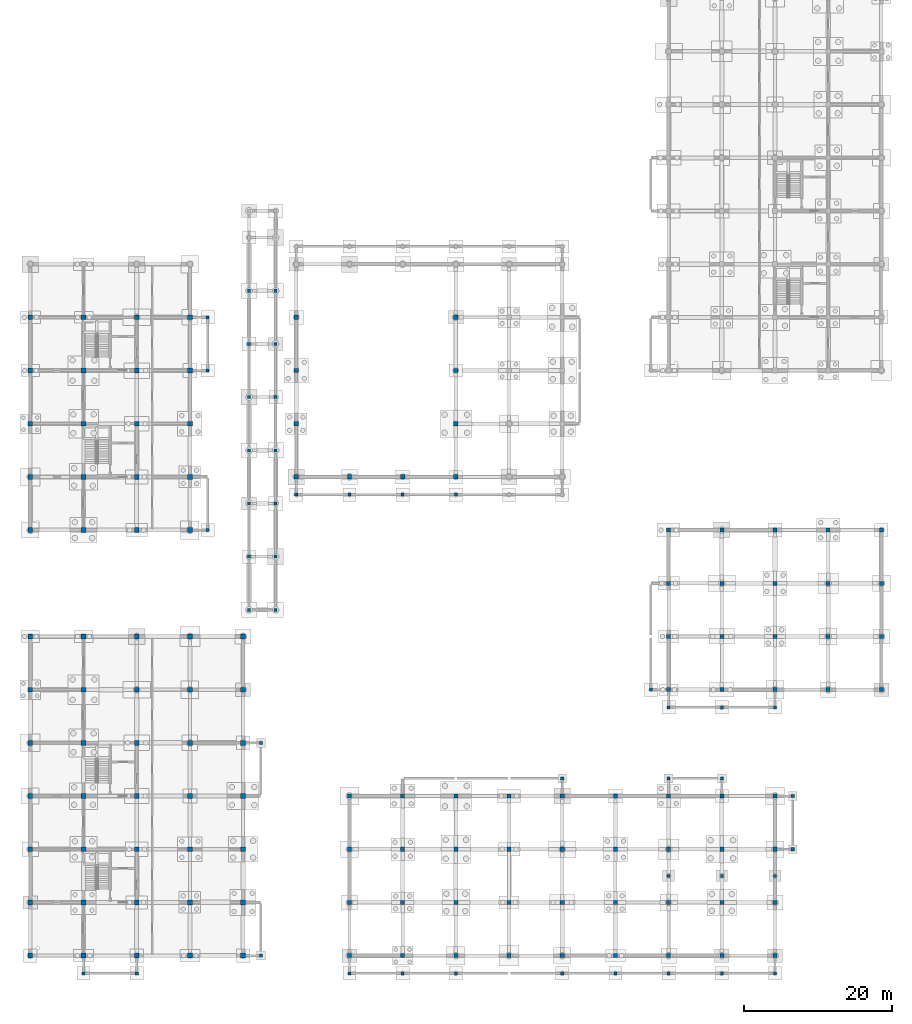
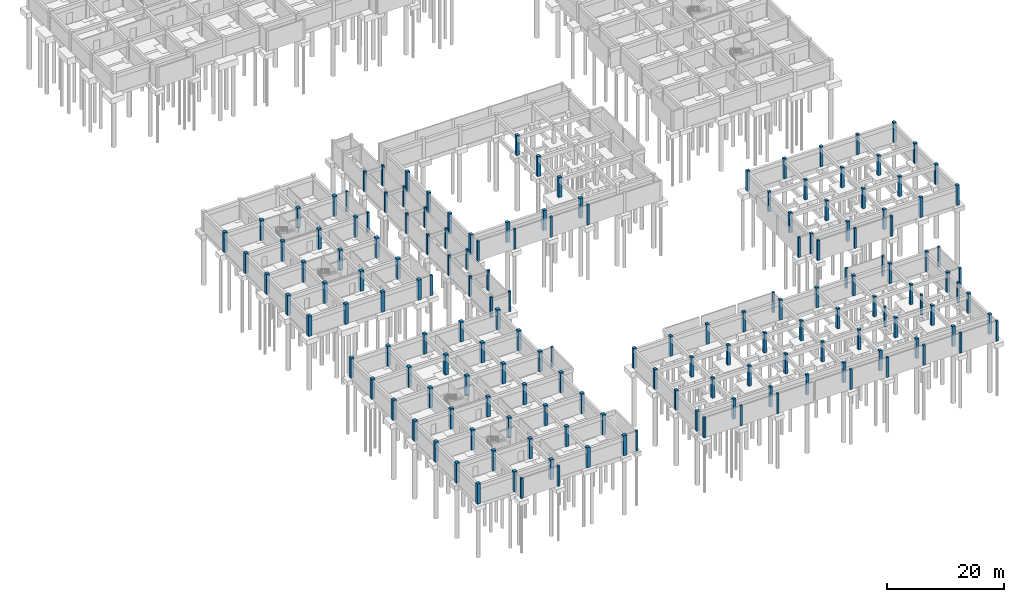
# One storey, part 17 of 38: 166 columns.
"""IFC4 building model written with IfcOpenShell, lengths in metres."""

from ifc_helpers import new_model, si_unit, direction, frame, origin, origin_2d, place, context, subcontext, project, spatial, rectangle, extrude, material, material_profile, profile_set, type_object, element, save


model = new_model("IFC4")

# Units and contexts
model_context = context("Model", 3, precision=1e-05, world=origin(), true_north=direction((0.0, 1.0)))
body_context = subcontext(model_context, "Body", "Model", "MODEL_VIEW")
ifc_project = project(units=[si_unit("LENGTHUNIT", "METRE"), si_unit("AREAUNIT", "SQUARE_METRE"), si_unit("VOLUMEUNIT", "CUBIC_METRE"), si_unit("PLANEANGLEUNIT", "RADIAN"), si_unit("MASSUNIT", "GRAM", prefix="KILO"), si_unit("THERMODYNAMICTEMPERATUREUNIT", "KELVIN"), si_unit("POWERUNIT", "WATT")], contexts=[model_context])

# Site, building, storey
site_placement = place(None, origin())
site = spatial("IfcSite", under=ifc_project, at=site_placement, CompositionType="ELEMENT")
building_placement = place(site_placement, origin())
building = spatial("IfcBuilding", under=site, at=building_placement, Name="Tavuni Mirador Residences", CompositionType="ELEMENT")
storey_placement = place(building_placement, frame((0.0, 0.0, -4.199951171875)))
storey = spatial("IfcBuildingStorey", under=building, at=storey_placement, Name="B1", CompositionType="ELEMENT", Elevation=-4.199951171875)

# Columns
ifc_material_1 = material(Name="Precast concrete C40/50", Category="concrete")
ifc_material_profile_1 = material_profile(ifc_material_1, rectangle(XDim=0.419921875, YDim=0.419921875, at=origin_2d()), Name="CORAL 420x420", Category="concrete")
ifc_profile_set_1 = profile_set([ifc_material_profile_1], Name="Precast concrete C40/50")
column_type_1 = type_object("IfcColumnType", Name="CT-PIL420", PredefinedType="PILASTER", material=ifc_profile_set_1)
for number, where, z_axis, x_axis, name in (
    (1, (33.199951171875, 54.0, 0.0), (0.0, 0.0, 1.0), (1.0, 0.0, 0.0), "COL-PAV-COL-B1-00-00"),
    (2, (33.199951171875, 61.199951171875, 0.0), (0.0, 0.0, 1.0), (1.0, 0.0, 0.0), "COL-PAV-COL-B1-00-01"),
    (3, (33.199951171875, 68.39990234375, 0.0), (0.0, 0.0, 1.0), (1.0, 0.0, 0.0), "COL-PAV-COL-B1-00-02"),
    (4, (33.199951171875, 75.60009765625, 0.0), (0.0, 0.0, 1.0), (1.0, 0.0, 0.0), "COL-PAV-COL-B1-00-03"),
    (5, (33.199951171875, 82.800048828125, 0.0), (0.0, 0.0, 1.0), (1.0, 0.0, 0.0), "COL-PAV-COL-B1-00-04"),
    (6, (33.199951171875, 90.0, 0.0), (0.0, 0.0, 1.0), (1.0, 0.0, 0.0), "COL-PAV-COL-B1-00-05"),
    (7, (33.199951171875, 97.199951171875, 0.0), (0.0, 0.0, 1.0), (1.0, 0.0, 0.0), "COL-PAV-COL-B1-00-06"),
    (8, (36.800048828125, 54.0, 0.0), (0.0, 0.0, 1.0), (1.0, 0.0, 0.0), "COL-PAV-COL-B1-01-00"),
    (9, (36.800048828125, 61.199951171875, 0.0), (0.0, 0.0, 1.0), (1.0, 0.0, 0.0), "COL-PAV-COL-B1-01-01"),
    (10, (36.800048828125, 68.39990234375, 0.0), (0.0, 0.0, 1.0), (1.0, 0.0, 0.0), "COL-PAV-COL-B1-01-02"),
    (11, (36.800048828125, 75.60009765625, 0.0), (0.0, 0.0, 1.0), (1.0, 0.0, 0.0), "COL-PAV-COL-B1-01-03"),
    (12, (36.800048828125, 82.800048828125, 0.0), (0.0, 0.0, 1.0), (1.0, 0.0, 0.0), "COL-PAV-COL-B1-01-04"),
    (13, (36.800048828125, 90.0, 0.0), (0.0, 0.0, 1.0), (1.0, 0.0, 0.0), "COL-PAV-COL-B1-01-05"),
    (14, (36.800048828125, 97.199951171875, 0.0), (0.0, 0.0, 1.0), (1.0, 0.0, 0.0), "COL-PAV-COL-B1-01-06"),
    (15, (10.800048828125, 4.800048828125, 0.0), (0.0, 0.0, 1.0), (1.0, 0.0, 0.0), "COL-APR-BLKA-S-0"),
    (16, (18.0, 4.800048828125, 0.0), (0.0, 0.0, 1.0), (1.0, 0.0, 0.0), "COL-APR-BLKA-S-1"),
    (17, (34.800048828125, 7.199951171875, 0.0), (0.0, 0.0, 1.0), (1.0, 0.0, 0.0), "COL-APR-BLKA-E1-1"),
    (18, (34.800048828125, 36.0, 0.0), (0.0, 0.0, 1.0), (1.0, 0.0, 0.0), "COL-APR-BLKA-E2-2"),
    (19, (27.60009765625, 64.800048828125, 0.0), (0.0, 0.0, 1.0), (1.0, 0.0, 0.0), "COL-APR-BLKB-E1-1"),
    (20, (27.60009765625, 86.39990234375, 0.0), (0.0, 0.0, 1.0), (1.0, 0.0, 0.0), "COL-APR-BLKB-E2-1"),
    (21, (27.60009765625, 93.60009765625, 0.0), (0.0, 0.0, 1.0), (1.0, 0.0, 0.0), "COL-APR-BLKB-E2-2"),
    (22, (90.0, 40.800048828125, 0.0), (0.0, 0.0, 1.0), (1.0, 0.0, 0.0), "COL-APR-NURS-S-0"),
    (23, (104.39990234375, 40.800048828125, 0.0), (0.0, 0.0, 1.0), (1.0, 0.0, 0.0), "COL-APR-NURS-S-1"),
    (24, (97.199951171875, 40.800048828125, 0.0), (0.0, 0.0, 1.0), (1.0, 0.0, 0.0), "COL-APR-NURS-S-S1"),
    (25, (87.60009765625, 43.199951171875, 0.0), (0.0, 0.0, 1.0), (1.0, 0.0, 0.0), "COL-APR-NURS-W-0"),
    (26, (46.800048828125, 4.800048828125, 0.0), (0.0, 0.0, 1.0), (1.0, 0.0, 0.0), "COL-APR-SHOP-S-0"),
    (27, (104.39990234375, 4.800048828125, 0.0), (0.0, 0.0, 1.0), (1.0, 0.0, 0.0), "COL-APR-SHOP-S-1"),
    (28, (54.0, 4.800048828125, 0.0), (0.0, 0.0, 1.0), (1.0, 0.0, 0.0), "COL-APR-SHOP-S-S1"),
    (29, (61.199951171875, 4.800048828125, 0.0), (0.0, 0.0, 1.0), (1.0, 0.0, 0.0), "COL-APR-SHOP-S-S2"),
    (30, (75.60009765625, 4.800048828125, 0.0), (0.0, 0.0, 1.0), (1.0, 0.0, 0.0), "COL-APR-SHOP-S-S4"),
    (31, (82.800048828125, 4.800048828125, 0.0), (0.0, 0.0, 1.0), (1.0, 0.0, 0.0), "COL-APR-SHOP-S-S5"),
    (32, (90.0, 4.800048828125, 0.0), (0.0, 0.0, 1.0), (1.0, 0.0, 0.0), "COL-APR-SHOP-S-S6"),
    (33, (97.199951171875, 4.800048828125, 0.0), (0.0, 0.0, 1.0), (1.0, 0.0, 0.0), "COL-APR-SHOP-S-S7"),
    (34, (75.60009765625, 31.199951171875, 0.0), (0.0, 0.0, 1.0), (1.0, 0.0, 0.0), "COL-APR-SHOP-N-2"),
    (35, (97.199951171875, 31.199951171875, 0.0), (0.0, 0.0, 1.0), (1.0, 0.0, 0.0), "COL-APR-SHOP-CPN-2"),
    (36, (90.0, 31.199951171875, 0.0), (0.0, 0.0, 1.0), (1.0, 0.0, 0.0), "COL-APR-SHOP-CPN-3"),
    (37, (106.800048828125, 21.60009765625, 0.0), (0.0, 0.0, 1.0), (1.0, 0.0, 0.0), "COL-APR-SHOP-E-1"),
    (38, (106.800048828125, 28.800048828125, 0.0), (0.0, 0.0, 1.0), (1.0, 0.0, 0.0), "COL-APR-SHOP-E-2"),
    (39, (90.0, 18.0, 0.0), (0.0, 0.0, 1.0), (1.0, 0.0, 0.0), "COL-SHOP-CP-RDG-B1-1"),
    (40, (97.199951171875, 18.0, 0.0), (0.0, 0.0, 1.0), (1.0, 0.0, 0.0), "COL-SHOP-CP-RDG-B1-2"),
    (41, (104.39990234375, 18.0, 0.0), (0.0, 0.0, 1.0), (1.0, 0.0, 0.0), "COL-SHOP-CP-RDG-B1-3"),
    (42, (39.60009765625, 69.60009765625, 0.0), (0.0, 0.0, 1.0), (1.0, 0.0, 0.0), "COL-HALL-EAVE-B1-S-00"),
    (43, (46.800048828125, 69.60009765625, 0.0), (0.0, 0.0, 1.0), (1.0, 0.0, 0.0), "COL-HALL-EAVE-B1-S-01"),
    (44, (54.0, 69.60009765625, 0.0), (0.0, 0.0, 1.0), (1.0, 0.0, 0.0), "COL-HALL-EAVE-B1-S-02"),
    (45, (61.199951171875, 69.60009765625, 0.0), (0.0, 0.0, 1.0), (1.0, 0.0, 0.0), "COL-HALL-EAVE-B1-S-03"),
):
    element("IfcColumn", number, at=place(storey_placement, frame(where, z_axis=z_axis, x_axis=x_axis)), inside=storey, type_object=column_type_1, Name=name, PredefinedType="PILASTER", context=body_context, shape_type="SweptSolid", body=[
        extrude(rectangle(XDim=0.419921875, YDim=0.419921875, at=origin_2d()), origin(), (0.0, 0.0, 1.0), 4.199951171875),
    ])
ifc_material_profile_2 = material_profile(ifc_material_1, rectangle(XDim=0.550048828125, YDim=0.550048828125, at=origin_2d()), Name="RC 550x550", Category="concrete")
ifc_profile_set_2 = profile_set([ifc_material_profile_2], Name="Precast concrete C40/50")
column_type_2 = type_object("IfcColumnType", Name="CT-RC550", PredefinedType="COLUMN", material=ifc_profile_set_2)
for number, where, z_axis, x_axis, name in (
    (46, (90.0, 43.199951171875, 0.0), (0.0, 0.0, 1.0), (1.0, 0.0, 0.0), "COL-PAV-NURS-B1-00-00"),
    (47, (90.0, 50.39990234375, 0.0), (0.0, 0.0, 1.0), (1.0, 0.0, 0.0), "COL-PAV-NURS-B1-00-01"),
    (48, (90.0, 57.60009765625, 0.0), (0.0, 0.0, 1.0), (1.0, 0.0, 0.0), "COL-PAV-NURS-B1-00-02"),
    (49, (90.0, 64.800048828125, 0.0), (0.0, 0.0, 1.0), (1.0, 0.0, 0.0), "COL-PAV-NURS-B1-00-03"),
    (50, (97.199951171875, 43.199951171875, 0.0), (0.0, 0.0, 1.0), (1.0, 0.0, 0.0), "COL-PAV-NURS-B1-01-00"),
    (51, (97.199951171875, 50.39990234375, 0.0), (0.0, 0.0, 1.0), (1.0, 0.0, 0.0), "COL-PAV-NURS-B1-01-01"),
    (52, (97.199951171875, 57.60009765625, 0.0), (0.0, 0.0, 1.0), (1.0, 0.0, 0.0), "COL-PAV-NURS-B1-01-02"),
    (53, (97.199951171875, 64.800048828125, 0.0), (0.0, 0.0, 1.0), (1.0, 0.0, 0.0), "COL-PAV-NURS-B1-01-03"),
    (54, (104.39990234375, 43.199951171875, 0.0), (0.0, 0.0, 1.0), (1.0, 0.0, 0.0), "COL-PAV-NURS-B1-02-00"),
    (55, (104.39990234375, 50.39990234375, 0.0), (0.0, 0.0, 1.0), (1.0, 0.0, 0.0), "COL-PAV-NURS-B1-02-01"),
    (56, (104.39990234375, 57.60009765625, 0.0), (0.0, 0.0, 1.0), (1.0, 0.0, 0.0), "COL-PAV-NURS-B1-02-02"),
    (57, (104.39990234375, 64.800048828125, 0.0), (0.0, 0.0, 1.0), (1.0, 0.0, 0.0), "COL-PAV-NURS-B1-02-03"),
    (58, (111.60009765625, 43.199951171875, 0.0), (0.0, 0.0, 1.0), (1.0, 0.0, 0.0), "COL-PAV-NURS-B1-03-00"),
    (59, (111.60009765625, 50.39990234375, 0.0), (0.0, 0.0, 1.0), (1.0, 0.0, 0.0), "COL-PAV-NURS-B1-03-01"),
    (60, (111.60009765625, 57.60009765625, 0.0), (0.0, 0.0, 1.0), (1.0, 0.0, 0.0), "COL-PAV-NURS-B1-03-02"),
    (61, (111.60009765625, 64.800048828125, 0.0), (0.0, 0.0, 1.0), (1.0, 0.0, 0.0), "COL-PAV-NURS-B1-03-03"),
    (62, (118.800048828125, 43.199951171875, 0.0), (0.0, 0.0, 1.0), (1.0, 0.0, 0.0), "COL-PAV-NURS-B1-04-00"),
    (63, (118.800048828125, 50.39990234375, 0.0), (0.0, 0.0, 1.0), (1.0, 0.0, 0.0), "COL-PAV-NURS-B1-04-01"),
    (64, (118.800048828125, 57.60009765625, 0.0), (0.0, 0.0, 1.0), (1.0, 0.0, 0.0), "COL-PAV-NURS-B1-04-02"),
    (65, (118.800048828125, 64.800048828125, 0.0), (0.0, 0.0, 1.0), (1.0, 0.0, 0.0), "COL-PAV-NURS-B1-04-03"),
    (66, (46.800048828125, 7.199951171875, 0.0), (0.0, 0.0, 1.0), (1.0, 0.0, 0.0), "COL-PAV-SHOP-B1-00-00"),
    (67, (46.800048828125, 14.39990234375, 0.0), (0.0, 0.0, 1.0), (1.0, 0.0, 0.0), "COL-PAV-SHOP-B1-00-01"),
    (68, (46.800048828125, 21.60009765625, 0.0), (0.0, 0.0, 1.0), (1.0, 0.0, 0.0), "COL-PAV-SHOP-B1-00-02"),
    (69, (46.800048828125, 28.800048828125, 0.0), (0.0, 0.0, 1.0), (1.0, 0.0, 0.0), "COL-PAV-SHOP-B1-00-03"),
    (70, (54.0, 7.199951171875, 0.0), (0.0, 0.0, 1.0), (1.0, 0.0, 0.0), "COL-PAV-SHOP-B1-01-00"),
    (71, (54.0, 14.39990234375, 0.0), (0.0, 0.0, 1.0), (1.0, 0.0, 0.0), "COL-PAV-SHOP-B1-01-01"),
    (72, (54.0, 21.60009765625, 0.0), (0.0, 0.0, 1.0), (1.0, 0.0, 0.0), "COL-PAV-SHOP-B1-01-02"),
    (73, (54.0, 28.800048828125, 0.0), (0.0, 0.0, 1.0), (1.0, 0.0, 0.0), "COL-PAV-SHOP-B1-01-03"),
    (74, (61.199951171875, 7.199951171875, 0.0), (0.0, 0.0, 1.0), (1.0, 0.0, 0.0), "COL-PAV-SHOP-B1-02-00"),
    (75, (61.199951171875, 14.39990234375, 0.0), (0.0, 0.0, 1.0), (1.0, 0.0, 0.0), "COL-PAV-SHOP-B1-02-01"),
    (76, (61.199951171875, 21.60009765625, 0.0), (0.0, 0.0, 1.0), (1.0, 0.0, 0.0), "COL-PAV-SHOP-B1-02-02"),
    (77, (61.199951171875, 28.800048828125, 0.0), (0.0, 0.0, 1.0), (1.0, 0.0, 0.0), "COL-PAV-SHOP-B1-02-03"),
    (78, (68.39990234375, 7.199951171875, 0.0), (0.0, 0.0, 1.0), (1.0, 0.0, 0.0), "COL-PAV-SHOP-B1-03-00"),
    (79, (68.39990234375, 14.39990234375, 0.0), (0.0, 0.0, 1.0), (1.0, 0.0, 0.0), "COL-PAV-SHOP-B1-03-01"),
    (80, (68.39990234375, 21.60009765625, 0.0), (0.0, 0.0, 1.0), (1.0, 0.0, 0.0), "COL-PAV-SHOP-B1-03-02"),
    (81, (68.39990234375, 28.800048828125, 0.0), (0.0, 0.0, 1.0), (1.0, 0.0, 0.0), "COL-PAV-SHOP-B1-03-03"),
    (82, (75.60009765625, 7.199951171875, 0.0), (0.0, 0.0, 1.0), (1.0, 0.0, 0.0), "COL-PAV-SHOP-B1-04-00"),
    (83, (75.60009765625, 14.39990234375, 0.0), (0.0, 0.0, 1.0), (1.0, 0.0, 0.0), "COL-PAV-SHOP-B1-04-01"),
    (84, (75.60009765625, 21.60009765625, 0.0), (0.0, 0.0, 1.0), (1.0, 0.0, 0.0), "COL-PAV-SHOP-B1-04-02"),
    (85, (75.60009765625, 28.800048828125, 0.0), (0.0, 0.0, 1.0), (1.0, 0.0, 0.0), "COL-PAV-SHOP-B1-04-03"),
    (86, (82.800048828125, 7.199951171875, 0.0), (0.0, 0.0, 1.0), (1.0, 0.0, 0.0), "COL-PAV-SHOP-B1-05-00"),
    (87, (82.800048828125, 14.39990234375, 0.0), (0.0, 0.0, 1.0), (1.0, 0.0, 0.0), "COL-PAV-SHOP-B1-05-01"),
    (88, (82.800048828125, 21.60009765625, 0.0), (0.0, 0.0, 1.0), (1.0, 0.0, 0.0), "COL-PAV-SHOP-B1-05-02"),
    (89, (82.800048828125, 28.800048828125, 0.0), (0.0, 0.0, 1.0), (1.0, 0.0, 0.0), "COL-PAV-SHOP-B1-05-03"),
    (90, (90.0, 7.199951171875, 0.0), (0.0, 0.0, 1.0), (1.0, 0.0, 0.0), "COL-PAV-SHOP-B1-06-00"),
    (91, (90.0, 14.39990234375, 0.0), (0.0, 0.0, 1.0), (1.0, 0.0, 0.0), "COL-PAV-SHOP-B1-06-01"),
    (92, (90.0, 21.60009765625, 0.0), (0.0, 0.0, 1.0), (1.0, 0.0, 0.0), "COL-PAV-SHOP-B1-06-02"),
    (93, (90.0, 28.800048828125, 0.0), (0.0, 0.0, 1.0), (1.0, 0.0, 0.0), "COL-PAV-SHOP-B1-06-03"),
    (94, (97.199951171875, 7.199951171875, 0.0), (0.0, 0.0, 1.0), (1.0, 0.0, 0.0), "COL-PAV-SHOP-B1-07-00"),
    (95, (97.199951171875, 14.39990234375, 0.0), (0.0, 0.0, 1.0), (1.0, 0.0, 0.0), "COL-PAV-SHOP-B1-07-01"),
    (96, (97.199951171875, 21.60009765625, 0.0), (0.0, 0.0, 1.0), (1.0, 0.0, 0.0), "COL-PAV-SHOP-B1-07-02"),
    (97, (97.199951171875, 28.800048828125, 0.0), (0.0, 0.0, 1.0), (1.0, 0.0, 0.0), "COL-PAV-SHOP-B1-07-03"),
    (98, (104.39990234375, 7.199951171875, 0.0), (0.0, 0.0, 1.0), (1.0, 0.0, 0.0), "COL-PAV-SHOP-B1-08-00"),
    (99, (104.39990234375, 14.39990234375, 0.0), (0.0, 0.0, 1.0), (1.0, 0.0, 0.0), "COL-PAV-SHOP-B1-08-01"),
    (100, (104.39990234375, 21.60009765625, 0.0), (0.0, 0.0, 1.0), (1.0, 0.0, 0.0), "COL-PAV-SHOP-B1-08-02"),
    (101, (104.39990234375, 28.800048828125, 0.0), (0.0, 0.0, 1.0), (1.0, 0.0, 0.0), "COL-PAV-SHOP-B1-08-03"),
):
    element("IfcColumn", number, at=place(storey_placement, frame(where, z_axis=z_axis, x_axis=x_axis)), inside=storey, type_object=column_type_2, Name=name, PredefinedType="COLUMN", context=body_context, shape_type="SweptSolid", body=[
        extrude(rectangle(XDim=0.550048828125, YDim=0.550048828125, at=origin_2d()), origin(), (0.0, 0.0, 1.0), 4.199951171875),
    ])
ifc_material_profile_3 = material_profile(ifc_material_1, rectangle(XDim=0.60009765625, YDim=0.60009765625, at=origin_2d()), Name="RC 600x600", Category="concrete")
ifc_profile_set_3 = profile_set([ifc_material_profile_3], Name="Precast concrete C40/50")
column_type_3 = type_object("IfcColumnType", Name="CT-RC600", PredefinedType="COLUMN", material=ifc_profile_set_3)
for number, where, z_axis, x_axis, name in (
    (102, (39.60009765625, 72.0, 0.0), (0.0, 0.0, 1.0), (1.0, 0.0, 0.0), "COL-PAV-HALL-B1-00-00"),
    (103, (39.60009765625, 79.199951171875, 0.0), (0.0, 0.0, 1.0), (1.0, 0.0, 0.0), "COL-PAV-HALL-B1-00-01"),
    (104, (39.60009765625, 86.39990234375, 0.0), (0.0, 0.0, 1.0), (1.0, 0.0, 0.0), "COL-PAV-HALL-B1-00-02"),
    (105, (39.60009765625, 93.60009765625, 0.0), (0.0, 0.0, 1.0), (1.0, 0.0, 0.0), "COL-PAV-HALL-B1-00-03"),
    (106, (46.800048828125, 72.0, 0.0), (0.0, 0.0, 1.0), (1.0, 0.0, 0.0), "COL-PAV-HALL-B1-01-00"),
    (107, (54.0, 72.0, 0.0), (0.0, 0.0, 1.0), (1.0, 0.0, 0.0), "COL-PAV-HALL-B1-02-00"),
    (108, (61.199951171875, 72.0, 0.0), (0.0, 0.0, 1.0), (1.0, 0.0, 0.0), "COL-PAV-HALL-B1-03-00"),
    (109, (61.199951171875, 79.199951171875, 0.0), (0.0, 0.0, 1.0), (1.0, 0.0, 0.0), "COL-PAV-HALL-B1-03-01"),
    (110, (61.199951171875, 86.39990234375, 0.0), (0.0, 0.0, 1.0), (1.0, 0.0, 0.0), "COL-PAV-HALL-B1-03-02"),
    (111, (61.199951171875, 93.60009765625, 0.0), (0.0, 0.0, 1.0), (1.0, 0.0, 0.0), "COL-PAV-HALL-B1-03-03"),
):
    element("IfcColumn", number, at=place(storey_placement, frame(where, z_axis=z_axis, x_axis=x_axis)), inside=storey, type_object=column_type_3, Name=name, PredefinedType="COLUMN", context=body_context, shape_type="SweptSolid", body=[
        extrude(rectangle(XDim=0.60009765625, YDim=0.60009765625, at=origin_2d()), origin(), (0.0, 0.0, 1.0), 4.199951171875),
    ])
ifc_material_2 = material(Name="In-situ concrete C35/45", Category="concrete")
ifc_material_profile_4 = material_profile(ifc_material_2, rectangle(XDim=0.64990234375, YDim=0.64990234375, at=origin_2d()), Name="RC 650x650", Category="concrete")
ifc_profile_set_4 = profile_set([ifc_material_profile_4], Name="In-situ concrete C35/45")
column_type_4 = type_object("IfcColumnType", Name="CT-RC650", PredefinedType="COLUMN", material=ifc_profile_set_4)
for number, where, z_axis, x_axis, name in (
    (112, (3.60009765625, 7.199951171875, 0.0), (0.0, 0.0, 1.0), (1.0, 0.0, 0.0), "COL-BLK-A-B1-00-00"),
    (113, (3.60009765625, 14.39990234375, 0.0), (0.0, 0.0, 1.0), (1.0, 0.0, 0.0), "COL-BLK-A-B1-00-01"),
    (114, (3.60009765625, 21.60009765625, 0.0), (0.0, 0.0, 1.0), (1.0, 0.0, 0.0), "COL-BLK-A-B1-00-02"),
    (115, (3.60009765625, 28.800048828125, 0.0), (0.0, 0.0, 1.0), (1.0, 0.0, 0.0), "COL-BLK-A-B1-00-03"),
    (116, (3.60009765625, 36.0, 0.0), (0.0, 0.0, 1.0), (1.0, 0.0, 0.0), "COL-BLK-A-B1-00-04"),
    (117, (3.60009765625, 43.199951171875, 0.0), (0.0, 0.0, 1.0), (1.0, 0.0, 0.0), "COL-BLK-A-B1-00-05"),
    (118, (3.60009765625, 50.39990234375, 0.0), (0.0, 0.0, 1.0), (1.0, 0.0, 0.0), "COL-BLK-A-B1-00-06"),
    (119, (10.800048828125, 7.199951171875, 0.0), (0.0, 0.0, 1.0), (1.0, 0.0, 0.0), "COL-BLK-A-B1-01-00"),
    (120, (10.800048828125, 14.39990234375, 0.0), (0.0, 0.0, 1.0), (1.0, 0.0, 0.0), "COL-BLK-A-B1-01-01"),
    (121, (10.800048828125, 21.60009765625, 0.0), (0.0, 0.0, 1.0), (1.0, 0.0, 0.0), "COL-BLK-A-B1-01-02"),
    (122, (10.800048828125, 28.800048828125, 0.0), (0.0, 0.0, 1.0), (1.0, 0.0, 0.0), "COL-BLK-A-B1-01-03"),
    (123, (10.800048828125, 36.0, 0.0), (0.0, 0.0, 1.0), (1.0, 0.0, 0.0), "COL-BLK-A-B1-01-04"),
    (124, (10.800048828125, 43.199951171875, 0.0), (0.0, 0.0, 1.0), (1.0, 0.0, 0.0), "COL-BLK-A-B1-01-05"),
    (125, (10.800048828125, 50.39990234375, 0.0), (0.0, 0.0, 1.0), (1.0, 0.0, 0.0), "COL-BLK-A-B1-01-06"),
    (126, (18.0, 7.199951171875, 0.0), (0.0, 0.0, 1.0), (1.0, 0.0, 0.0), "COL-BLK-A-B1-02-00"),
    (127, (18.0, 14.39990234375, 0.0), (0.0, 0.0, 1.0), (1.0, 0.0, 0.0), "COL-BLK-A-B1-02-01"),
    (128, (18.0, 21.60009765625, 0.0), (0.0, 0.0, 1.0), (1.0, 0.0, 0.0), "COL-BLK-A-B1-02-02"),
    (129, (18.0, 28.800048828125, 0.0), (0.0, 0.0, 1.0), (1.0, 0.0, 0.0), "COL-BLK-A-B1-02-03"),
    (130, (18.0, 36.0, 0.0), (0.0, 0.0, 1.0), (1.0, 0.0, 0.0), "COL-BLK-A-B1-02-04"),
    (131, (18.0, 43.199951171875, 0.0), (0.0, 0.0, 1.0), (1.0, 0.0, 0.0), "COL-BLK-A-B1-02-05"),
    (132, (18.0, 50.39990234375, 0.0), (0.0, 0.0, 1.0), (1.0, 0.0, 0.0), "COL-BLK-A-B1-02-06"),
    (133, (25.199951171875, 7.199951171875, 0.0), (0.0, 0.0, 1.0), (1.0, 0.0, 0.0), "COL-BLK-A-B1-03-00"),
    (134, (25.199951171875, 14.39990234375, 0.0), (0.0, 0.0, 1.0), (1.0, 0.0, 0.0), "COL-BLK-A-B1-03-01"),
    (135, (25.199951171875, 21.60009765625, 0.0), (0.0, 0.0, 1.0), (1.0, 0.0, 0.0), "COL-BLK-A-B1-03-02"),
    (136, (25.199951171875, 28.800048828125, 0.0), (0.0, 0.0, 1.0), (1.0, 0.0, 0.0), "COL-BLK-A-B1-03-03"),
    (137, (25.199951171875, 36.0, 0.0), (0.0, 0.0, 1.0), (1.0, 0.0, 0.0), "COL-BLK-A-B1-03-04"),
    (138, (25.199951171875, 43.199951171875, 0.0), (0.0, 0.0, 1.0), (1.0, 0.0, 0.0), "COL-BLK-A-B1-03-05"),
    (139, (25.199951171875, 50.39990234375, 0.0), (0.0, 0.0, 1.0), (1.0, 0.0, 0.0), "COL-BLK-A-B1-03-06"),
    (140, (32.39990234375, 7.199951171875, 0.0), (0.0, 0.0, 1.0), (1.0, 0.0, 0.0), "COL-BLK-A-B1-04-00"),
    (141, (32.39990234375, 14.39990234375, 0.0), (0.0, 0.0, 1.0), (1.0, 0.0, 0.0), "COL-BLK-A-B1-04-01"),
    (142, (32.39990234375, 21.60009765625, 0.0), (0.0, 0.0, 1.0), (1.0, 0.0, 0.0), "COL-BLK-A-B1-04-02"),
    (143, (32.39990234375, 28.800048828125, 0.0), (0.0, 0.0, 1.0), (1.0, 0.0, 0.0), "COL-BLK-A-B1-04-03"),
    (144, (32.39990234375, 36.0, 0.0), (0.0, 0.0, 1.0), (1.0, 0.0, 0.0), "COL-BLK-A-B1-04-04"),
    (145, (32.39990234375, 43.199951171875, 0.0), (0.0, 0.0, 1.0), (1.0, 0.0, 0.0), "COL-BLK-A-B1-04-05"),
    (146, (32.39990234375, 50.39990234375, 0.0), (0.0, 0.0, 1.0), (1.0, 0.0, 0.0), "COL-BLK-A-B1-04-06"),
    (147, (3.60009765625, 64.800048828125, 0.0), (0.0, 0.0, 1.0), (1.0, 0.0, 0.0), "COL-BLK-B-B1-00-00"),
    (148, (3.60009765625, 72.0, 0.0), (0.0, 0.0, 1.0), (1.0, 0.0, 0.0), "COL-BLK-B-B1-00-01"),
    (149, (3.60009765625, 79.199951171875, 0.0), (0.0, 0.0, 1.0), (1.0, 0.0, 0.0), "COL-BLK-B-B1-00-02"),
    (150, (3.60009765625, 86.39990234375, 0.0), (0.0, 0.0, 1.0), (1.0, 0.0, 0.0), "COL-BLK-B-B1-00-03"),
    (151, (3.60009765625, 93.60009765625, 0.0), (0.0, 0.0, 1.0), (1.0, 0.0, 0.0), "COL-BLK-B-B1-00-04"),
    (152, (10.800048828125, 64.800048828125, 0.0), (0.0, 0.0, 1.0), (1.0, 0.0, 0.0), "COL-BLK-B-B1-01-00"),
    (153, (10.800048828125, 72.0, 0.0), (0.0, 0.0, 1.0), (1.0, 0.0, 0.0), "COL-BLK-B-B1-01-01"),
    (154, (10.800048828125, 79.199951171875, 0.0), (0.0, 0.0, 1.0), (1.0, 0.0, 0.0), "COL-BLK-B-B1-01-02"),
    (155, (10.800048828125, 86.39990234375, 0.0), (0.0, 0.0, 1.0), (1.0, 0.0, 0.0), "COL-BLK-B-B1-01-03"),
    (156, (10.800048828125, 93.60009765625, 0.0), (0.0, 0.0, 1.0), (1.0, 0.0, 0.0), "COL-BLK-B-B1-01-04"),
    (157, (18.0, 64.800048828125, 0.0), (0.0, 0.0, 1.0), (1.0, 0.0, 0.0), "COL-BLK-B-B1-02-00"),
    (158, (18.0, 72.0, 0.0), (0.0, 0.0, 1.0), (1.0, 0.0, 0.0), "COL-BLK-B-B1-02-01"),
    (159, (18.0, 79.199951171875, 0.0), (0.0, 0.0, 1.0), (1.0, 0.0, 0.0), "COL-BLK-B-B1-02-02"),
    (160, (18.0, 86.39990234375, 0.0), (0.0, 0.0, 1.0), (1.0, 0.0, 0.0), "COL-BLK-B-B1-02-03"),
    (161, (18.0, 93.60009765625, 0.0), (0.0, 0.0, 1.0), (1.0, 0.0, 0.0), "COL-BLK-B-B1-02-04"),
    (162, (25.199951171875, 64.800048828125, 0.0), (0.0, 0.0, 1.0), (1.0, 0.0, 0.0), "COL-BLK-B-B1-03-00"),
    (163, (25.199951171875, 72.0, 0.0), (0.0, 0.0, 1.0), (1.0, 0.0, 0.0), "COL-BLK-B-B1-03-01"),
    (164, (25.199951171875, 79.199951171875, 0.0), (0.0, 0.0, 1.0), (1.0, 0.0, 0.0), "COL-BLK-B-B1-03-02"),
    (165, (25.199951171875, 86.39990234375, 0.0), (0.0, 0.0, 1.0), (1.0, 0.0, 0.0), "COL-BLK-B-B1-03-03"),
    (166, (25.199951171875, 93.60009765625, 0.0), (0.0, 0.0, 1.0), (1.0, 0.0, 0.0), "COL-BLK-B-B1-03-04"),
):
    element("IfcColumn", number, at=place(storey_placement, frame(where, z_axis=z_axis, x_axis=x_axis)), inside=storey, type_object=column_type_4, Name=name, PredefinedType="COLUMN", context=body_context, shape_type="SweptSolid", body=[
        extrude(rectangle(XDim=0.64990234375, YDim=0.64990234375, at=origin_2d()), origin(), (0.0, 0.0, 1.0), 4.199951171875),
    ])

save(model, "model.ifc")
